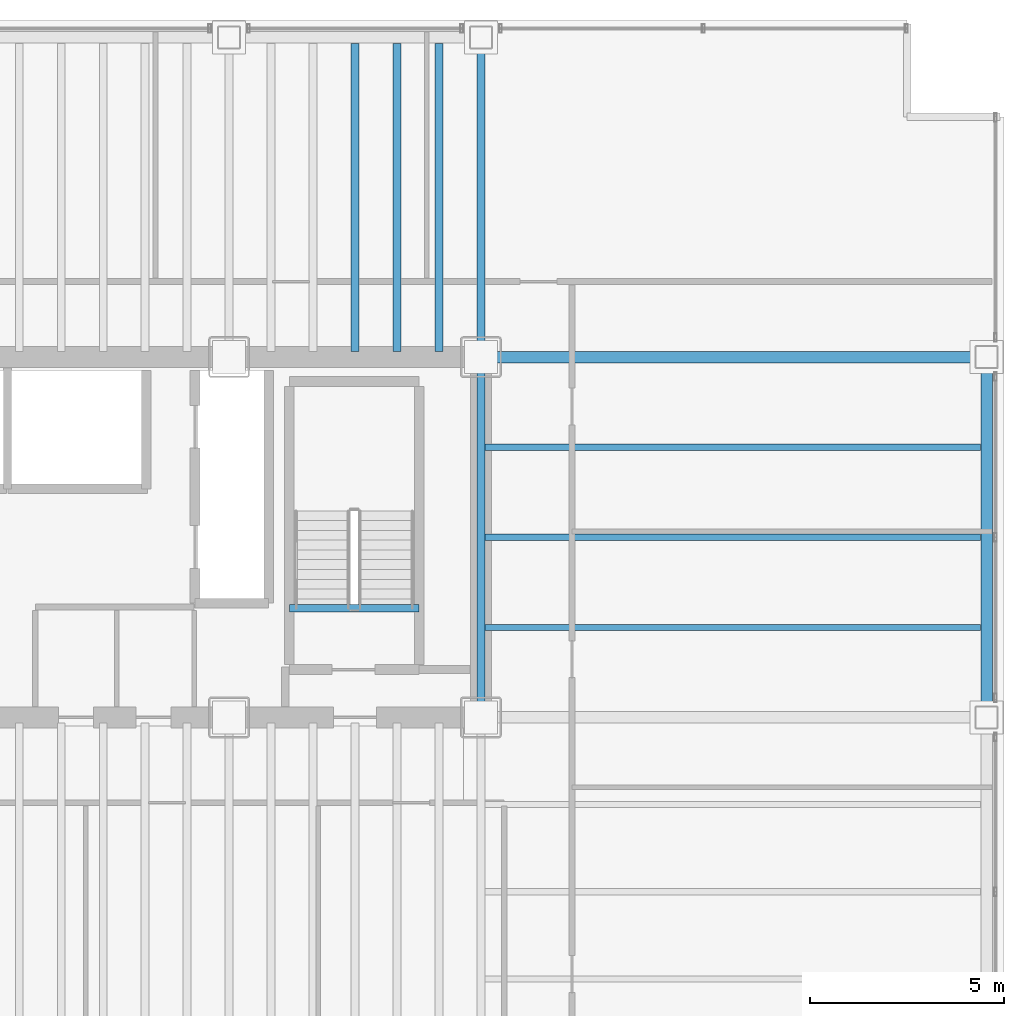
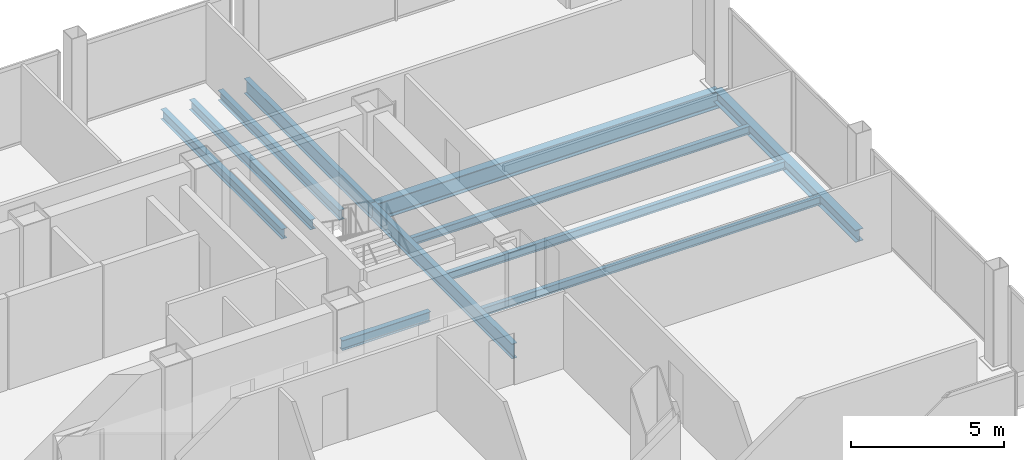
# One storey, part 11 of 20: 11 beams.
"""IFC4 building model written with IfcOpenShell, lengths in metres."""

from ifc_helpers import new_model, si_unit, direction, frame, origin, origin_2d, place, context, subcontext, project, spatial, i_section, extrude, material, material_profile, profile_set, type_object, element, save


model = new_model("IFC4")

# Units and contexts
model_context = context("Model", 3, precision=1e-05, world=origin(), true_north=direction((0.0, 1.0)))
body_context = subcontext(model_context, "Body", "Model", "MODEL_VIEW")
ifc_project = project(units=[si_unit("LENGTHUNIT", "METRE"), si_unit("AREAUNIT", "SQUARE_METRE"), si_unit("VOLUMEUNIT", "CUBIC_METRE"), si_unit("PLANEANGLEUNIT", "RADIAN"), si_unit("MASSUNIT", "GRAM", prefix="KILO")], contexts=[model_context])

# Site, building, storey
site_placement = place(None, origin())
site = spatial("IfcSite", under=ifc_project, at=site_placement, CompositionType="ELEMENT")
building_placement = place(site_placement, origin())
building = spatial("IfcBuilding", under=site, at=building_placement, Name="Noeulbin Bourse Tower", CompositionType="ELEMENT")
storey_placement = place(building_placement, frame((0.0, 0.0, 61.60009765625)))
storey = spatial("IfcBuildingStorey", under=building, at=storey_placement, Name="L15", CompositionType="ELEMENT", Elevation=61.60009765625)

# Beams
ifc_material = material(Name="Steel S355", Category="steel")
ifc_material_profile_1 = material_profile(ifc_material, i_section(OverallWidth=0.199951171875, OverallDepth=0.60009765625, WebThickness=0.010986328125, FlangeThickness=0.01708984375, FilletRadius=0.02197265625, at=origin_2d()), Name="H-600x200x11x17", Category="LoadBearing")
ifc_profile_set_1 = profile_set([ifc_material_profile_1], Name="Steel S355")
beam_type_1 = type_object("IfcBeamType", Name="BM-GRD-600", PredefinedType="USERDEFINED", material=ifc_profile_set_1)
beam_1_placement = place(storey_placement, frame((44.0, 29.0, -0.47998046875), z_axis=(0.0, 1.0, 0.0), x_axis=(-1.0, 0.0, 0.0)))
element("IfcBeam", 1, at=beam_1_placement, inside=storey, type_object=beam_type_1, Name="Tower Primary Girder NS L15-5.3", ObjectType="GIRDER", PredefinedType="USERDEFINED", context=body_context, shape_type="SweptSolid", body=[
    extrude(i_section(OverallWidth=0.199951171875, OverallDepth=0.60009765625, WebThickness=0.010986328125, FlangeThickness=0.01708984375, FilletRadius=0.02197265625, at=origin_2d()), origin(), (0.0, 0.0, 1.0), 9.300048828125),
])
beam_2_placement = place(storey_placement, frame((44.0, 38.300048828125, -0.47998046875), z_axis=(0.0, 1.0, 0.0), x_axis=(-1.0, 0.0, 0.0)))
element("IfcBeam", 2, at=beam_2_placement, inside=storey, type_object=beam_type_1, Name="Tower Primary Girder NS L15-5.4", ObjectType="GIRDER", PredefinedType="USERDEFINED", context=body_context, shape_type="SweptSolid", body=[
    extrude(i_section(OverallWidth=0.199951171875, OverallDepth=0.60009765625, WebThickness=0.010986328125, FlangeThickness=0.01708984375, FilletRadius=0.02197265625, at=origin_2d()), origin(), (0.0, 0.0, 1.0), 8.25),
])
ifc_material_profile_2 = material_profile(ifc_material, i_section(OverallWidth=0.300048828125, OverallDepth=0.699951171875, WebThickness=0.012939453125, FlangeThickness=0.02392578125, FilletRadius=0.02392578125, at=origin_2d()), Name="H-700x300x13x24", Category="LoadBearing")
ifc_profile_set_2 = profile_set([ifc_material_profile_2], Name="Steel S355")
beam_type_2 = type_object("IfcBeamType", Name="BM-GRD-700", PredefinedType="USERDEFINED", material=ifc_profile_set_2)
beam_3_placement = place(storey_placement, frame((44.0, 38.300048828125, -0.530029296875), z_axis=(1.0, 0.0, 0.0), x_axis=(0.0, 1.0, 0.0)))
element("IfcBeam", 3, at=beam_3_placement, inside=storey, type_object=beam_type_2, Name="Tower Primary Girder EW L15-3.6", ObjectType="GIRDER", PredefinedType="USERDEFINED", context=body_context, shape_type="SweptSolid", body=[
    extrude(i_section(OverallWidth=0.300048828125, OverallDepth=0.699951171875, WebThickness=0.012939453125, FlangeThickness=0.02392578125, FilletRadius=0.02392578125, at=origin_2d()), origin(), (0.0, 0.0, 1.0), 13.050048828125),
])
ifc_material_profile_3 = material_profile(ifc_material, i_section(OverallWidth=0.159912109375, OverallDepth=0.320068359375, WebThickness=0.006591796875, FlangeThickness=0.010009765625, FilletRadius=0.012939453125, at=origin_2d()), Name="H-320x160x6.5x10", Category="LoadBearing")
ifc_profile_set_3 = profile_set([ifc_material_profile_3], Name="Steel S355")
beam_type_3 = type_object("IfcBeamType", Name="BM-JST-320", PredefinedType="JOIST", material=ifc_profile_set_3)
for number, where, z_axis, x_axis, name in (
    (4, (44.10009765625, 31.324951171875, -0.340087890625), (1.0, 0.0, 0.0), (0.0, 1.0, 0.0), "Wing Composite Joist L15-E79"),
    (5, (44.10009765625, 33.64990234375, -0.340087890625), (1.0, 0.0, 0.0), (0.0, 1.0, 0.0), "Wing Composite Joist L15-E80"),
    (6, (44.10009765625, 35.97509765625, -0.340087890625), (1.0, 0.0, 0.0), (0.0, 1.0, 0.0), "Wing Composite Joist L15-E81"),
):
    element("IfcBeam", number, at=place(storey_placement, frame(where, z_axis=z_axis, x_axis=x_axis)), inside=storey, type_object=beam_type_3, Name=name, PredefinedType="JOIST", context=body_context, shape_type="SweptSolid", body=[
        extrude(i_section(OverallWidth=0.159912109375, OverallDepth=0.320068359375, WebThickness=0.006591796875, FlangeThickness=0.010009765625, FilletRadius=0.012939453125, at=origin_2d()), origin(), (0.0, 0.0, 1.0), 12.7998046875),
    ])
ifc_material_profile_4 = material_profile(ifc_material, i_section(OverallWidth=0.199951171875, OverallDepth=0.39990234375, WebThickness=0.008056640625, FlangeThickness=0.012939453125, FilletRadius=0.01611328125, at=origin_2d()), Name="H-400x200x8x13", Category="LoadBearing")
ifc_profile_set_4 = profile_set([ifc_material_profile_4], Name="Steel S355")
beam_type_4 = type_object("IfcBeamType", Name="BM-SEC-400", PredefinedType="BEAM", material=ifc_profile_set_4)
for number, where, z_axis, x_axis, name in (
    (7, (40.75, 38.449951171875, -0.380126953125), (0.0, 1.0, 0.0), (-1.0, 0.0, 0.0), "Tower Composite Joist L15-63"),
    (8, (41.833251953125, 38.449951171875, -0.380126953125), (0.0, 1.0, 0.0), (-1.0, 0.0, 0.0), "Tower Composite Joist L15-66"),
    (9, (42.916748046875, 38.449951171875, -0.380126953125), (0.0, 1.0, 0.0), (-1.0, 0.0, 0.0), "Tower Composite Joist L15-69"),
):
    element("IfcBeam", number, at=place(storey_placement, frame(where, z_axis=z_axis, x_axis=x_axis)), inside=storey, type_object=beam_type_4, Name=name, PredefinedType="BEAM", context=body_context, shape_type="SweptSolid", body=[
        extrude(i_section(OverallWidth=0.199951171875, OverallDepth=0.39990234375, WebThickness=0.008056640625, FlangeThickness=0.012939453125, FilletRadius=0.01611328125, at=origin_2d()), origin(), (0.0, 0.0, 1.0), 7.949951171875),
    ])
beam_4_placement = place(storey_placement, frame((39.06005859375, 31.820068359375, -0.2001953125), z_axis=(1.0, 0.0, 0.0), x_axis=(0.0, 1.0, 0.0)))
element("IfcBeam", 10, at=beam_4_placement, inside=storey, type_object=beam_type_4, Name="Stair Threshold Trimmer Beam ST2-L15", PredefinedType="BEAM", context=body_context, shape_type="SweptSolid", body=[
    extrude(i_section(OverallWidth=0.199951171875, OverallDepth=0.39990234375, WebThickness=0.008056640625, FlangeThickness=0.012939453125, FilletRadius=0.01611328125, at=origin_2d()), origin(), (0.0, 0.0, 1.0), 3.33984375),
])
ifc_material_profile_5 = material_profile(ifc_material, i_section(OverallWidth=0.300048828125, OverallDepth=0.488037109375, WebThickness=0.010986328125, FlangeThickness=0.01806640625, FilletRadius=0.02197265625, at=origin_2d()), Name="H-488x300x11x18", Category="LoadBearing")
ifc_profile_set_5 = profile_set([ifc_material_profile_5], Name="Steel S355")
beam_type_5 = type_object("IfcBeamType", Name="BM-SPN-488", PredefinedType="SPANDREL", material=ifc_profile_set_5)
beam_5_placement = place(storey_placement, frame((57.050048828125, 29.0, -0.424072265625), z_axis=(0.0, 1.0, 0.0), x_axis=(-1.0, 0.0, 0.0)))
element("IfcBeam", 11, at=beam_5_placement, inside=storey, type_object=beam_type_5, Name="East Spandrel L15-2", PredefinedType="SPANDREL", context=body_context, shape_type="SweptSolid", body=[
    extrude(i_section(OverallWidth=0.300048828125, OverallDepth=0.488037109375, WebThickness=0.010986328125, FlangeThickness=0.01806640625, FilletRadius=0.02197265625, at=origin_2d()), origin(), (0.0, 0.0, 1.0), 9.300048828125),
])

save(model, "model.ifc")
